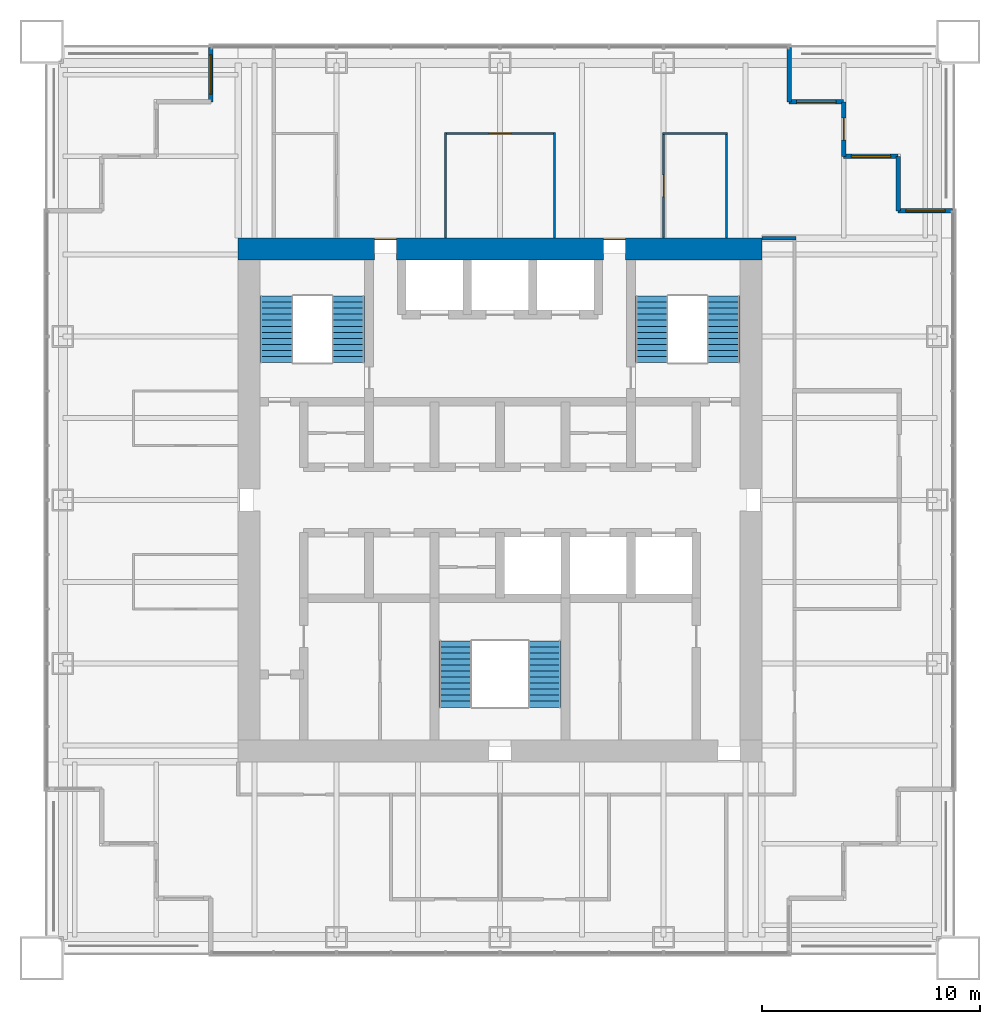
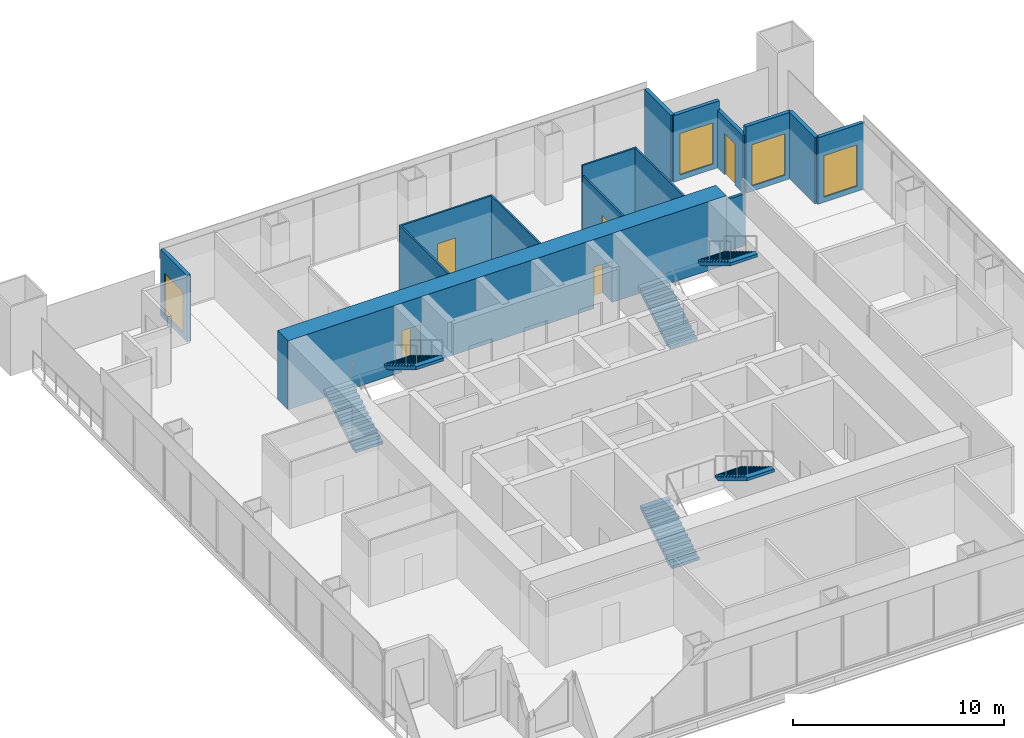
# One storey, part 12 of 14: 15 walls, 6 stair flights, 5 doors, 4 windows, 9 openings, 3 elements without a shape of their own.
"""IFC4 building model written with IfcOpenShell, lengths in metres."""

from ifc_helpers import new_model, si_unit, direction, frame, frame_2d, origin, place, context, subcontext, project, spatial, polyline, rectangle, outline, extrude, material, layer, layer_set, type_object, element, fill, aggregate, save


model = new_model("IFC4")

# Units and contexts
model_context = context("Model", 3, precision=1e-05, world=origin(), true_north=direction((0.0, 1.0)))
body_context = subcontext(model_context, "Body", "Model", "MODEL_VIEW")
ifc_project = project(units=[si_unit("LENGTHUNIT", "METRE"), si_unit("AREAUNIT", "SQUARE_METRE"), si_unit("VOLUMEUNIT", "CUBIC_METRE"), si_unit("PLANEANGLEUNIT", "RADIAN"), si_unit("MASSUNIT", "GRAM", prefix="KILO")], contexts=[model_context])

# Site, building, storey
site_placement = place(None, origin())
site = spatial("IfcSite", under=ifc_project, at=site_placement, CompositionType="ELEMENT")
building_placement = place(site_placement, origin())
building = spatial("IfcBuilding", under=site, at=building_placement, Name="Tarangal Relay Tower", CompositionType="ELEMENT")
storey_placement = place(building_placement, frame((0.0, 0.0, 291.89990234375)))
storey = spatial("IfcBuildingStorey", under=building, at=storey_placement, Name="L64", CompositionType="ELEMENT", Elevation=291.89990234375)

# Wall, openings, doors
ifc_material_1 = material(Name="Concrete fc' 60 MPa", Category="concrete")
ifc_layer_1 = layer(ifc_material_1, 1.0)
ifc_layer_set_1 = layer_set([ifc_layer_1], Name="Core wall 1000")
wall_type_1 = type_object("IfcWallType", Name="Core wall 1000", PredefinedType="SHEAR", material=ifc_layer_set_1)
wall_1_placement = place(storey_placement, frame((-12.0, 11.5, 0.0), z_axis=(0.0, 0.0, 1.0), x_axis=(1.0, 0.0, 0.0)))
wall_1 = element("IfcWall", 1, at=wall_1_placement, inside=storey, type_object=wall_type_1, Name="Core wall N L64", PredefinedType="SHEAR", context=body_context, shape_type="SweptSolid", body=[
    extrude(rectangle(XDim=24.0, YDim=1.0, at=frame_2d((12.0, 0.0))), origin(), (0.0, 0.0, 1.0), 4.0),
])
opening_1_placement = place(wall_1_placement, frame((6.25, 0.0, 0.0)))
opening_1 = element("IfcOpeningElement", 2, at=opening_1_placement, cuts=wall_1, Name="Opening FD3", PredefinedType="OPENING", context=body_context, shape_type="SweptSolid", body=[
    extrude(rectangle(XDim=1.0, YDim=2.39990234375, at=frame_2d((0.5, 1.199951171875))), frame((0.0, 0.510009765625, 0.0), z_axis=(0.0, -1.0, 0.0), x_axis=(1.0, 0.0, 0.0)), (0.0, 0.0, 1.0), 1.02001953125),
])
opening_2_placement = place(wall_1_placement, frame((16.75, 0.0, 0.0)))
opening_2 = element("IfcOpeningElement", 3, at=opening_2_placement, cuts=wall_1, Name="Opening FD3", PredefinedType="OPENING", context=body_context, shape_type="SweptSolid", body=[
    extrude(rectangle(XDim=1.0, YDim=2.39990234375, at=frame_2d((0.5, 1.199951171875))), frame((0.0, 0.510009765625, 0.0), z_axis=(0.0, -1.0, 0.0), x_axis=(1.0, 0.0, 0.0)), (0.0, 0.0, 1.0), 1.02001953125),
])
ifc_material_2 = material(Name="Steel door with hardwood frame", Category="steel")
door_type_1 = type_object("IfcDoorType", Name="Fire door 1000 x 2400 core entry", OperationType="SINGLE_SWING_RIGHT", PredefinedType="DOOR", material=ifc_material_2)
door_1_placement = place(opening_1_placement, origin())
door_1 = element("IfcDoor", 4, at=door_1_placement, inside=storey, type_object=door_type_1, Name="Core entry door north west L64", OperationType="SINGLE_SWING_RIGHT", OverallHeight=2.39990234375, OverallWidth=1.0, PredefinedType="DOOR", context=body_context, shape_type="SweptSolid", body=[
    extrude(rectangle(XDim=1.0, YDim=2.39990234375, at=frame_2d((0.5, 1.199951171875))), frame((0.0, 0.48486328125, 0.0), z_axis=(0.0, -1.0, 0.0), x_axis=(1.0, 0.0, 0.0)), (0.0, 0.0, 1.0), 0.050048828125),
])
fill(opening_1, door_1)
door_2_placement = place(opening_2_placement, origin())
door_2 = element("IfcDoor", 5, at=door_2_placement, inside=storey, type_object=door_type_1, Name="Core entry door north east L64", OperationType="SINGLE_SWING_RIGHT", OverallHeight=2.39990234375, OverallWidth=1.0, PredefinedType="DOOR", context=body_context, shape_type="SweptSolid", body=[
    extrude(rectangle(XDim=1.0, YDim=2.39990234375, at=frame_2d((0.5, 1.199951171875))), frame((0.0, 0.48486328125, 0.0), z_axis=(0.0, -1.0, 0.0), x_axis=(1.0, 0.0, 0.0)), (0.0, 0.0, 1.0), 0.050048828125),
])
fill(opening_2, door_2)

# Wall
ifc_material_3 = material(Name="Black metal clad insulated wall", Category="steel")
ifc_layer_2 = layer(ifc_material_3, 0.199951171875)
ifc_layer_set_2 = layer_set([ifc_layer_2], Name="Corner wall metal clad 200")
wall_type_2 = type_object("IfcWallType", Name="Corner wall metal clad 200", PredefinedType="SOLIDWALL", material=ifc_layer_set_2)
wall_2_placement = place(storey_placement, frame((13.25, 20.75, 0.0), z_axis=(0.0, 0.0, 1.0), x_axis=(0.0, -1.0, 0.0)))
element("IfcWall", 6, at=wall_2_placement, inside=storey, type_object=wall_type_2, Name="Facade wall N facade L64", PredefinedType="SOLIDWALL", context=body_context, shape_type="SweptSolid", body=[
    extrude(rectangle(XDim=2.5, YDim=0.199951171875, at=frame_2d((1.25, 0.0))), origin(), (0.0, 0.0, 1.0), 3.85009765625),
])

# Wall, opening, window
wall_3_placement = place(storey_placement, frame((13.25, 18.25, 0.0), z_axis=(0.0, 0.0, 1.0), x_axis=(1.0, 0.0, 0.0)))
wall_3 = element("IfcWall", 7, at=wall_3_placement, inside=storey, type_object=wall_type_2, Name="Facade wall N facade L64", PredefinedType="SOLIDWALL", context=body_context, shape_type="SweptSolid", body=[
    extrude(rectangle(XDim=2.5, YDim=0.199951171875, at=frame_2d((1.25, 0.0))), origin(), (0.0, 0.0, 1.0), 3.85009765625),
])
opening_3_placement = place(wall_3_placement, frame((0.35009765625, 0.0, 0.300048828125)))
opening_3 = element("IfcOpeningElement", 8, at=opening_3_placement, cuts=wall_3, Name="Opening WN2", PredefinedType="OPENING", context=body_context, shape_type="SweptSolid", body=[
    extrude(rectangle(XDim=1.800048828125, YDim=2.39990234375, at=frame_2d((0.89990234375, 1.199951171875))), frame((0.0, 0.10986328125, 0.0), z_axis=(0.0, -1.0, 0.0), x_axis=(1.0, 0.0, 0.0)), (0.0, 0.0, 1.0), 0.219970703125),
])
ifc_material_4 = material(Name="Dark tinted double glazing in black aluminium frame", Category="aluminium")
window_type = type_object("IfcWindowType", Name="Corner window 1800 x 2400", PartitioningType="SINGLE_PANEL", PredefinedType="WINDOW", material=ifc_material_4)
window_1_placement = place(opening_3_placement, origin())
window_1 = element("IfcWindow", 9, at=window_1_placement, inside=storey, type_object=window_type, Name="Corner window WN2 N facade L64", OverallHeight=2.39990234375, OverallWidth=1.800048828125, PartitioningType="SINGLE_PANEL", PredefinedType="WINDOW", context=body_context, shape_type="SweptSolid", body=[
    extrude(rectangle(XDim=1.800048828125, YDim=2.39990234375, at=frame_2d((0.89990234375, 1.199951171875))), frame((0.0, 0.030029296875, 0.0), z_axis=(0.0, -1.0, 0.0), x_axis=(1.0, 0.0, 0.0)), (0.0, 0.0, 1.0), 0.06005859375),
])
fill(opening_3, window_1)

# Wall, opening, door
wall_4_placement = place(storey_placement, frame((15.75, 18.25, 0.0), z_axis=(0.0, 0.0, 1.0), x_axis=(0.0, -1.0, 0.0)))
wall_4 = element("IfcWall", 10, at=wall_4_placement, inside=storey, type_object=wall_type_2, Name="Facade wall N facade L64", PredefinedType="SOLIDWALL", context=body_context, shape_type="SweptSolid", body=[
    extrude(rectangle(XDim=2.5, YDim=0.199951171875, at=frame_2d((1.25, 0.0))), origin(), (0.0, 0.0, 1.0), 3.316650390625),
])
opening_4_placement = place(wall_4_placement, frame((0.75, 0.0, 0.0)))
opening_4 = element("IfcOpeningElement", 11, at=opening_4_placement, cuts=wall_4, Name="Opening TD1", PredefinedType="OPENING", context=body_context, shape_type="SweptSolid", body=[
    extrude(rectangle(XDim=1.0, YDim=2.39990234375, at=frame_2d((0.5, 1.199951171875))), frame((0.0, 0.10986328125, 0.0), z_axis=(0.0, -1.0, 0.0), x_axis=(1.0, 0.0, 0.0)), (0.0, 0.0, 1.0), 0.219970703125),
])
ifc_material_5 = material(Name="Aluminium glazed door", Category="aluminium")
door_type_2 = type_object("IfcDoorType", Name="Terrace door 1000 x 2400", OperationType="SINGLE_SWING_RIGHT", PredefinedType="DOOR", material=ifc_material_5)
door_3_placement = place(opening_4_placement, origin())
door_3 = element("IfcDoor", 12, at=door_3_placement, inside=storey, type_object=door_type_2, Name="Terrace door TD1 NE L64", OperationType="SINGLE_SWING_RIGHT", OverallHeight=2.39990234375, OverallWidth=1.0, PredefinedType="DOOR", context=body_context, shape_type="SweptSolid", body=[
    extrude(rectangle(XDim=1.0, YDim=2.39990234375, at=frame_2d((0.5, 1.199951171875))), frame((0.0, 0.02490234375, 0.0), z_axis=(0.0, -1.0, 0.0), x_axis=(1.0, 0.0, 0.0)), (0.0, 0.0, 1.0), 0.050048828125),
])
fill(opening_4, door_3)

# Wall, opening, window
wall_5_placement = place(storey_placement, frame((15.75, 15.75, 0.0), z_axis=(0.0, 0.0, 1.0), x_axis=(1.0, 0.0, 0.0)))
wall_5 = element("IfcWall", 13, at=wall_5_placement, inside=storey, type_object=wall_type_2, Name="Facade wall N facade L64", PredefinedType="SOLIDWALL", context=body_context, shape_type="SweptSolid", body=[
    extrude(rectangle(XDim=2.5, YDim=0.199951171875, at=frame_2d((1.25, 0.0))), origin(), (0.0, 0.0, 1.0), 3.85009765625),
])
opening_5_placement = place(wall_5_placement, frame((0.35009765625, 0.0, 0.300048828125)))
opening_5 = element("IfcOpeningElement", 14, at=opening_5_placement, cuts=wall_5, Name="Opening WN2", PredefinedType="OPENING", context=body_context, shape_type="SweptSolid", body=[
    extrude(rectangle(XDim=1.800048828125, YDim=2.39990234375, at=frame_2d((0.89990234375, 1.199951171875))), frame((0.0, 0.10986328125, 0.0), z_axis=(0.0, -1.0, 0.0), x_axis=(1.0, 0.0, 0.0)), (0.0, 0.0, 1.0), 0.219970703125),
])
window_2_placement = place(opening_5_placement, origin())
window_2 = element("IfcWindow", 15, at=window_2_placement, inside=storey, type_object=window_type, Name="Corner window WN2 N facade L64", OverallHeight=2.39990234375, OverallWidth=1.800048828125, PartitioningType="SINGLE_PANEL", PredefinedType="WINDOW", context=body_context, shape_type="SweptSolid", body=[
    extrude(rectangle(XDim=1.800048828125, YDim=2.39990234375, at=frame_2d((0.89990234375, 1.199951171875))), frame((0.0, 0.030029296875, 0.0), z_axis=(0.0, -1.0, 0.0), x_axis=(1.0, 0.0, 0.0)), (0.0, 0.0, 1.0), 0.06005859375),
])
fill(opening_5, window_2)

# Wall
wall_6_placement = place(storey_placement, frame((18.25, 15.75, 0.0), z_axis=(0.0, 0.0, 1.0), x_axis=(0.0, -1.0, 0.0)))
element("IfcWall", 16, at=wall_6_placement, inside=storey, type_object=wall_type_2, Name="Facade wall N facade L64", PredefinedType="SOLIDWALL", context=body_context, shape_type="SweptSolid", body=[
    extrude(rectangle(XDim=2.5, YDim=0.199951171875, at=frame_2d((1.25, 0.0))), origin(), (0.0, 0.0, 1.0), 3.85009765625),
])

# Wall, opening, window
wall_7_placement = place(storey_placement, frame((18.25, 13.25, 0.0), z_axis=(0.0, 0.0, 1.0), x_axis=(1.0, 0.0, 0.0)))
wall_7 = element("IfcWall", 17, at=wall_7_placement, inside=storey, type_object=wall_type_2, Name="Facade wall N facade L64", PredefinedType="SOLIDWALL", context=body_context, shape_type="SweptSolid", body=[
    extrude(rectangle(XDim=2.5, YDim=0.199951171875, at=frame_2d((1.25, 0.0))), origin(), (0.0, 0.0, 1.0), 3.85009765625),
])
opening_6_placement = place(wall_7_placement, frame((0.35009765625, 0.0, 0.300048828125)))
opening_6 = element("IfcOpeningElement", 18, at=opening_6_placement, cuts=wall_7, Name="Opening WN2", PredefinedType="OPENING", context=body_context, shape_type="SweptSolid", body=[
    extrude(rectangle(XDim=1.800048828125, YDim=2.39990234375, at=frame_2d((0.89990234375, 1.199951171875))), frame((0.0, 0.10986328125, 0.0), z_axis=(0.0, -1.0, 0.0), x_axis=(1.0, 0.0, 0.0)), (0.0, 0.0, 1.0), 0.219970703125),
])
window_3_placement = place(opening_6_placement, origin())
window_3 = element("IfcWindow", 19, at=window_3_placement, inside=storey, type_object=window_type, Name="Corner window WN2 N facade L64", OverallHeight=2.39990234375, OverallWidth=1.800048828125, PartitioningType="SINGLE_PANEL", PredefinedType="WINDOW", context=body_context, shape_type="SweptSolid", body=[
    extrude(rectangle(XDim=1.800048828125, YDim=2.39990234375, at=frame_2d((0.89990234375, 1.199951171875))), frame((0.0, 0.030029296875, 0.0), z_axis=(0.0, -1.0, 0.0), x_axis=(1.0, 0.0, 0.0)), (0.0, 0.0, 1.0), 0.06005859375),
])
fill(opening_6, window_3)

wall_8_placement = place(storey_placement, frame((-13.25, 18.25, 0.0), z_axis=(0.0, 0.0, 1.0), x_axis=(0.0, 1.0, 0.0)))
wall_8 = element("IfcWall", 20, at=wall_8_placement, inside=storey, type_object=wall_type_2, Name="Facade wall W facade L64", PredefinedType="SOLIDWALL", context=body_context, shape_type="SweptSolid", body=[
    extrude(rectangle(XDim=2.5, YDim=0.199951171875, at=frame_2d((1.25, 0.0))), origin(), (0.0, 0.0, 1.0), 3.85009765625),
])
opening_7_placement = place(wall_8_placement, frame((0.35009765625, 0.0, 0.300048828125)))
opening_7 = element("IfcOpeningElement", 21, at=opening_7_placement, cuts=wall_8, Name="Opening WN2", PredefinedType="OPENING", context=body_context, shape_type="SweptSolid", body=[
    extrude(rectangle(XDim=1.800048828125, YDim=2.39990234375, at=frame_2d((0.89990234375, 1.199951171875))), frame((0.0, 0.10986328125, 0.0), z_axis=(0.0, -1.0, 0.0), x_axis=(1.0, 0.0, 0.0)), (0.0, 0.0, 1.0), 0.219970703125),
])
window_4_placement = place(opening_7_placement, origin())
window_4 = element("IfcWindow", 22, at=window_4_placement, inside=storey, type_object=window_type, Name="Corner window WN2 W facade L64", OverallHeight=2.39990234375, OverallWidth=1.800048828125, PartitioningType="SINGLE_PANEL", PredefinedType="WINDOW", context=body_context, shape_type="SweptSolid", body=[
    extrude(rectangle(XDim=1.800048828125, YDim=2.39990234375, at=frame_2d((0.89990234375, 1.199951171875))), frame((0.0, 0.030029296875, 0.0), z_axis=(0.0, -1.0, 0.0), x_axis=(1.0, 0.0, 0.0)), (0.0, 0.0, 1.0), 0.06005859375),
])
fill(opening_7, window_4)

# Wall, opening, door
ifc_material_6 = material(Name="Double glazed aluminium framed partition", Category="aluminium")
ifc_layer_3 = layer(ifc_material_6, 0.10009765625)
ifc_layer_set_3 = layer_set([ifc_layer_3], Name="Glazed partition 100")
wall_type_3 = type_object("IfcWallType", Name="Glazed partition 100", PredefinedType="PARTITIONING", material=ifc_layer_set_3)
wall_9_placement = place(storey_placement, frame((-2.550048828125, 16.800048828125, 0.0), z_axis=(0.0, 0.0, 1.0), x_axis=(1.0, 0.0, 0.0)))
wall_9 = element("IfcWall", 23, at=wall_9_placement, inside=storey, type_object=wall_type_3, Name="Partition PT3 L64", PredefinedType="PARTITIONING", context=body_context, shape_type="SweptSolid", body=[
    extrude(rectangle(XDim=5.10009765625, YDim=0.10009765625, at=frame_2d((2.550048828125, 0.0))), origin(), (0.0, 0.0, 1.0), 3.85009765625),
])
opening_8_placement = place(wall_9_placement, frame((2.050048828125, 0.0, 0.0)))
opening_8 = element("IfcOpeningElement", 24, at=opening_8_placement, cuts=wall_9, Name="Opening D3", PredefinedType="OPENING", context=body_context, shape_type="SweptSolid", body=[
    extrude(rectangle(XDim=1.0, YDim=2.10009765625, at=frame_2d((0.5, 1.050048828125))), frame((0.0, 0.06005859375, 0.0), z_axis=(0.0, -1.0, 0.0), x_axis=(1.0, 0.0, 0.0)), (0.0, 0.0, 1.0), 0.1201171875),
])
ifc_material_7 = material(Name="Frameless glass door", Category="glass")
door_type_3 = type_object("IfcDoorType", Name="Glazed door 1000 x 2100", OperationType="SINGLE_SWING_LEFT", PredefinedType="DOOR", material=ifc_material_7)
door_4_placement = place(opening_8_placement, origin())
door_4 = element("IfcDoor", 25, at=door_4_placement, inside=storey, type_object=door_type_3, Name="Door D3 to meeting room L64-03", OperationType="SINGLE_SWING_LEFT", OverallHeight=2.10009765625, OverallWidth=1.0, PredefinedType="DOOR", context=body_context, shape_type="SweptSolid", body=[
    extrude(rectangle(XDim=1.0, YDim=2.10009765625, at=frame_2d((0.5, 1.050048828125))), frame((0.0, 0.02490234375, 0.0), z_axis=(0.0, -1.0, 0.0), x_axis=(1.0, 0.0, 0.0)), (0.0, 0.0, 1.0), 0.050048828125),
])
fill(opening_8, door_4)

# Walls
wall_10_placement = place(storey_placement, frame((7.449951171875, 16.800048828125, 0.0), z_axis=(0.0, 0.0, 1.0), x_axis=(1.0, 0.0, 0.0)))
element("IfcWall", 26, at=wall_10_placement, inside=storey, type_object=wall_type_3, Name="Partition PT3 L64", PredefinedType="PARTITIONING", context=body_context, shape_type="SweptSolid", body=[
    extrude(rectangle(XDim=2.97509765625, YDim=0.10009765625, at=frame_2d((1.487548828125, 0.0))), origin(), (0.0, 0.0, 1.0), 3.85009765625),
])
for number, where, z_axis, x_axis, name in (
    (27, (-2.5, 12.0, 0.0), (0.0, 0.0, 1.0), (0.0, 1.0, 0.0), "Partition PT3 L64"),
    (28, (2.5, 12.0, 0.0), (0.0, 0.0, 1.0), (0.0, 1.0, 0.0), "Partition PT3 L64"),
):
    element("IfcWall", number, at=place(storey_placement, frame(where, z_axis=z_axis, x_axis=x_axis)), inside=storey, type_object=wall_type_3, Name=name, PredefinedType="PARTITIONING", context=body_context, shape_type="SweptSolid", body=[
        extrude(rectangle(XDim=4.85009765625, YDim=0.10009765625, at=frame_2d((2.425048828125, 0.0))), origin(), (0.0, 0.0, 1.0), 3.85009765625),
    ])

# Wall, opening, door
wall_11_placement = place(storey_placement, frame((7.5, 12.0, 0.0), z_axis=(0.0, 0.0, 1.0), x_axis=(0.0, 1.0, 0.0)))
wall_11 = element("IfcWall", 29, at=wall_11_placement, inside=storey, type_object=wall_type_3, Name="Partition PT3 L64", PredefinedType="PARTITIONING", context=body_context, shape_type="SweptSolid", body=[
    extrude(rectangle(XDim=4.85009765625, YDim=0.10009765625, at=frame_2d((2.425048828125, 0.0))), origin(), (0.0, 0.0, 1.0), 3.2431640625),
])
opening_9_placement = place(wall_11_placement, frame((1.89990234375, 0.0, 0.0)))
opening_9 = element("IfcOpeningElement", 30, at=opening_9_placement, cuts=wall_11, Name="Opening D3", PredefinedType="OPENING", context=body_context, shape_type="SweptSolid", body=[
    extrude(rectangle(XDim=1.0, YDim=2.10009765625, at=frame_2d((0.5, 1.050048828125))), frame((0.0, 0.06005859375, 0.0), z_axis=(0.0, -1.0, 0.0), x_axis=(1.0, 0.0, 0.0)), (0.0, 0.0, 1.0), 0.1201171875),
])
door_5_placement = place(opening_9_placement, origin())
door_5 = element("IfcDoor", 31, at=door_5_placement, inside=storey, type_object=door_type_3, Name="Door D3 to project room L64-04", OperationType="SINGLE_SWING_LEFT", OverallHeight=2.10009765625, OverallWidth=1.0, PredefinedType="DOOR", context=body_context, shape_type="SweptSolid", body=[
    extrude(rectangle(XDim=1.0, YDim=2.10009765625, at=frame_2d((0.5, 1.050048828125))), frame((0.0, 0.02490234375, 0.0), z_axis=(0.0, -1.0, 0.0), x_axis=(1.0, 0.0, 0.0)), (0.0, 0.0, 1.0), 0.050048828125),
])
fill(opening_9, door_5)

# Walls
wall_12_placement = place(storey_placement, frame((10.375, 12.0, 0.0), z_axis=(0.0, 0.0, 1.0), x_axis=(0.0, 1.0, 0.0)))
element("IfcWall", 32, at=wall_12_placement, inside=storey, type_object=wall_type_3, Name="Partition PT3 L64", PredefinedType="PARTITIONING", context=body_context, shape_type="SweptSolid", body=[
    extrude(rectangle(XDim=4.85009765625, YDim=0.10009765625, at=frame_2d((2.425048828125, 0.0))), origin(), (0.0, 0.0, 1.0), 3.85009765625),
])
ifc_material_8 = material(Name="Gypsum board on steel studs", Category="steel")
ifc_layer_4 = layer(ifc_material_8, 0.14990234375)
ifc_layer_set_4 = layer_set([ifc_layer_4], Name="Partition 150")
wall_type_4 = type_object("IfcWallType", Name="Partition 150", PredefinedType="PARTITIONING", material=ifc_layer_set_4)
wall_13_placement = place(storey_placement, frame((12.0, 12.0, 0.0), z_axis=(0.0, 0.0, 1.0), x_axis=(1.0, 0.0, 0.0)))
element("IfcWall", 33, at=wall_13_placement, inside=storey, type_object=wall_type_4, Name="Partition PT1 L64", PredefinedType="PARTITIONING", context=body_context, shape_type="SweptSolid", body=[
    extrude(rectangle(XDim=1.574951171875, YDim=0.14990234375, at=frame_2d((0.78759765625, 0.0))), origin(), (0.0, 0.0, 1.0), 3.009521484375),
])

# Stair, stair flights
ifc_material_9 = material(Name="Steel ASTM A992 stair flight", Category="steel")
stair_type = type_object("IfcStairType", Name="Core stair 1500", PredefinedType="HALF_TURN_STAIR", material=ifc_material_9)
stair_1_placement = place(storey_placement, origin())
stair_1 = element("IfcStair", 34, at=stair_1_placement, inside=storey, type_object=stair_type, Name="Stair ST-A L64", PredefinedType="HALF_TURN_STAIR")
stair_flight_type = type_object("IfcStairFlightType", Name="Steel stair flight 1500, 12 risers 167 x 277", PredefinedType="STRAIGHT", material=ifc_material_9)
stair_flight_1_placement = place(storey_placement, frame((-10.25, 6.300048828125, 0.0), z_axis=(0.0, 0.0, 1.0), x_axis=(0.0, 1.0, 0.0)))
stair_flight_1 = element("IfcStairFlight", 35, at=stair_flight_1_placement, type_object=stair_flight_type, Name="ST-A flight 1", NumberOfRisers=12, NumberOfTreads=11, PredefinedType="STRAIGHT", RiserHeight=0.166666667, TreadLength=0.277, context=body_context, shape_type="SweptSolid", body=[
    extrude(outline(polyline([(0.0, 0.0), (0.0, 0.166748046875), (0.277099609375, 0.166748046875), (0.277099609375, 0.333251953125), (0.553955078125, 0.333251953125), (0.553955078125, 0.5), (0.8310546875, 0.5), (0.8310546875, 0.666748046875), (1.10791015625, 0.666748046875), (1.10791015625, 0.833251953125), (1.385009765625, 0.833251953125), (1.385009765625, 1.0), (1.662109375, 1.0), (1.662109375, 1.166748046875), (1.93896484375, 1.166748046875), (1.93896484375, 1.333251953125), (2.216064453125, 1.333251953125), (2.216064453125, 1.5), (2.492919921875, 1.5), (2.492919921875, 1.666748046875), (2.77001953125, 1.666748046875), (2.77001953125, 1.833251953125), (3.047119140625, 1.833251953125), (3.047119140625, 2.0), (3.047119140625, 1.658447265625), (0.290771484375, 0.0), (0.0, 0.0)])), frame((0.0, 0.75, 0.0), z_axis=(0.0, -1.0, 0.0), x_axis=(1.0, 0.0, 0.0)), (0.0, 0.0, 1.0), 1.5),
])
stair_flight_2_placement = place(storey_placement, frame((-6.949951171875, 9.346923828125, 2.0), z_axis=(0.0, 0.0, 1.0), x_axis=(0.0, -1.0, 0.0)))
stair_flight_2 = element("IfcStairFlight", 36, at=stair_flight_2_placement, type_object=stair_flight_type, Name="ST-A flight 2", NumberOfRisers=12, NumberOfTreads=11, PredefinedType="STRAIGHT", RiserHeight=0.166666667, TreadLength=0.277, context=body_context, shape_type="SweptSolid", body=[
    extrude(outline(polyline([(0.0, 0.0), (0.0, 0.166748046875), (0.277099609375, 0.166748046875), (0.277099609375, 0.333251953125), (0.553955078125, 0.333251953125), (0.553955078125, 0.5), (0.8310546875, 0.5), (0.8310546875, 0.666748046875), (1.10791015625, 0.666748046875), (1.10791015625, 0.833251953125), (1.385009765625, 0.833251953125), (1.385009765625, 1.0), (1.662109375, 1.0), (1.662109375, 1.166748046875), (1.93896484375, 1.166748046875), (1.93896484375, 1.333251953125), (2.216064453125, 1.333251953125), (2.216064453125, 1.5), (2.492919921875, 1.5), (2.492919921875, 1.666748046875), (2.77001953125, 1.666748046875), (2.77001953125, 1.833251953125), (3.047119140625, 1.833251953125), (3.047119140625, 2.0), (3.047119140625, 1.658447265625), (0.290771484375, 0.0), (0.0, 0.0)])), frame((0.0, 0.75, 0.0), z_axis=(0.0, -1.0, 0.0), x_axis=(1.0, 0.0, 0.0)), (0.0, 0.0, 1.0), 1.5),
])
aggregate(stair_1, [stair_flight_1, stair_flight_2])

stair_2_placement = place(storey_placement, origin())
stair_2 = element("IfcStair", 37, at=stair_2_placement, inside=storey, type_object=stair_type, Name="Stair ST-B L64", PredefinedType="HALF_TURN_STAIR")
stair_flight_3_placement = place(storey_placement, frame((6.949951171875, 6.300048828125, 0.0), z_axis=(0.0, 0.0, 1.0), x_axis=(0.0, 1.0, 0.0)))
stair_flight_3 = element("IfcStairFlight", 38, at=stair_flight_3_placement, type_object=stair_flight_type, Name="ST-B flight 1", NumberOfRisers=12, NumberOfTreads=11, PredefinedType="STRAIGHT", RiserHeight=0.166666667, TreadLength=0.277, context=body_context, shape_type="SweptSolid", body=[
    extrude(outline(polyline([(0.0, 0.0), (0.0, 0.166748046875), (0.277099609375, 0.166748046875), (0.277099609375, 0.333251953125), (0.553955078125, 0.333251953125), (0.553955078125, 0.5), (0.8310546875, 0.5), (0.8310546875, 0.666748046875), (1.10791015625, 0.666748046875), (1.10791015625, 0.833251953125), (1.385009765625, 0.833251953125), (1.385009765625, 1.0), (1.662109375, 1.0), (1.662109375, 1.166748046875), (1.93896484375, 1.166748046875), (1.93896484375, 1.333251953125), (2.216064453125, 1.333251953125), (2.216064453125, 1.5), (2.492919921875, 1.5), (2.492919921875, 1.666748046875), (2.77001953125, 1.666748046875), (2.77001953125, 1.833251953125), (3.047119140625, 1.833251953125), (3.047119140625, 2.0), (3.047119140625, 1.658447265625), (0.290771484375, 0.0), (0.0, 0.0)])), frame((0.0, 0.75, 0.0), z_axis=(0.0, -1.0, 0.0), x_axis=(1.0, 0.0, 0.0)), (0.0, 0.0, 1.0), 1.5),
])
stair_flight_4_placement = place(storey_placement, frame((10.25, 9.346923828125, 2.0), z_axis=(0.0, 0.0, 1.0), x_axis=(0.0, -1.0, 0.0)))
stair_flight_4 = element("IfcStairFlight", 39, at=stair_flight_4_placement, type_object=stair_flight_type, Name="ST-B flight 2", NumberOfRisers=12, NumberOfTreads=11, PredefinedType="STRAIGHT", RiserHeight=0.166666667, TreadLength=0.277, context=body_context, shape_type="SweptSolid", body=[
    extrude(outline(polyline([(0.0, 0.0), (0.0, 0.166748046875), (0.277099609375, 0.166748046875), (0.277099609375, 0.333251953125), (0.553955078125, 0.333251953125), (0.553955078125, 0.5), (0.8310546875, 0.5), (0.8310546875, 0.666748046875), (1.10791015625, 0.666748046875), (1.10791015625, 0.833251953125), (1.385009765625, 0.833251953125), (1.385009765625, 1.0), (1.662109375, 1.0), (1.662109375, 1.166748046875), (1.93896484375, 1.166748046875), (1.93896484375, 1.333251953125), (2.216064453125, 1.333251953125), (2.216064453125, 1.5), (2.492919921875, 1.5), (2.492919921875, 1.666748046875), (2.77001953125, 1.666748046875), (2.77001953125, 1.833251953125), (3.047119140625, 1.833251953125), (3.047119140625, 2.0), (3.047119140625, 1.658447265625), (0.290771484375, 0.0), (0.0, 0.0)])), frame((0.0, 0.75, 0.0), z_axis=(0.0, -1.0, 0.0), x_axis=(1.0, 0.0, 0.0)), (0.0, 0.0, 1.0), 1.5),
])
aggregate(stair_2, [stair_flight_3, stair_flight_4])

stair_3_placement = place(storey_placement, origin())
stair_3 = element("IfcStair", 40, at=stair_3_placement, inside=storey, type_object=stair_type, Name="Stair ST-C L64", PredefinedType="HALF_TURN_STAIR")
stair_flight_5_placement = place(storey_placement, frame((-2.050048828125, -9.5, 0.0), z_axis=(0.0, 0.0, 1.0), x_axis=(0.0, 1.0, 0.0)))
stair_flight_5 = element("IfcStairFlight", 41, at=stair_flight_5_placement, type_object=stair_flight_type, Name="ST-C flight 1", NumberOfRisers=12, NumberOfTreads=11, PredefinedType="STRAIGHT", RiserHeight=0.166666667, TreadLength=0.277, context=body_context, shape_type="SweptSolid", body=[
    extrude(outline(polyline([(0.0, 0.0), (0.0, 0.166748046875), (0.277099609375, 0.166748046875), (0.277099609375, 0.333251953125), (0.553955078125, 0.333251953125), (0.553955078125, 0.5), (0.8310546875, 0.5), (0.8310546875, 0.666748046875), (1.10791015625, 0.666748046875), (1.10791015625, 0.833251953125), (1.385009765625, 0.833251953125), (1.385009765625, 1.0), (1.662109375, 1.0), (1.662109375, 1.166748046875), (1.93896484375, 1.166748046875), (1.93896484375, 1.333251953125), (2.216064453125, 1.333251953125), (2.216064453125, 1.5), (2.492919921875, 1.5), (2.492919921875, 1.666748046875), (2.77001953125, 1.666748046875), (2.77001953125, 1.833251953125), (3.047119140625, 1.833251953125), (3.047119140625, 2.0), (3.047119140625, 1.658447265625), (0.290771484375, 0.0), (0.0, 0.0)])), frame((0.0, 0.75, 0.0), z_axis=(0.0, -1.0, 0.0), x_axis=(1.0, 0.0, 0.0)), (0.0, 0.0, 1.0), 1.5),
])
stair_flight_6_placement = place(storey_placement, frame((2.050048828125, -6.452880859375, 2.0), z_axis=(0.0, 0.0, 1.0), x_axis=(0.0, -1.0, 0.0)))
stair_flight_6 = element("IfcStairFlight", 42, at=stair_flight_6_placement, type_object=stair_flight_type, Name="ST-C flight 2", NumberOfRisers=12, NumberOfTreads=11, PredefinedType="STRAIGHT", RiserHeight=0.166666667, TreadLength=0.277, context=body_context, shape_type="SweptSolid", body=[
    extrude(outline(polyline([(0.0, 0.0), (0.0, 0.166748046875), (0.277099609375, 0.166748046875), (0.277099609375, 0.333251953125), (0.553955078125, 0.333251953125), (0.553955078125, 0.5), (0.8310546875, 0.5), (0.8310546875, 0.666748046875), (1.10791015625, 0.666748046875), (1.10791015625, 0.833251953125), (1.385009765625, 0.833251953125), (1.385009765625, 1.0), (1.662109375, 1.0), (1.662109375, 1.166748046875), (1.93896484375, 1.166748046875), (1.93896484375, 1.333251953125), (2.216064453125, 1.333251953125), (2.216064453125, 1.5), (2.492919921875, 1.5), (2.492919921875, 1.666748046875), (2.77001953125, 1.666748046875), (2.77001953125, 1.833251953125), (3.047119140625, 1.833251953125), (3.047119140625, 2.0), (3.047119140625, 1.658447265625), (0.290771484375, 0.0), (0.0, 0.0)])), frame((0.0, 0.75, 0.0), z_axis=(0.0, -1.0, 0.0), x_axis=(1.0, 0.0, 0.0)), (0.0, 0.0, 1.0), 1.5),
])
aggregate(stair_3, [stair_flight_5, stair_flight_6])

save(model, "model.ifc")
